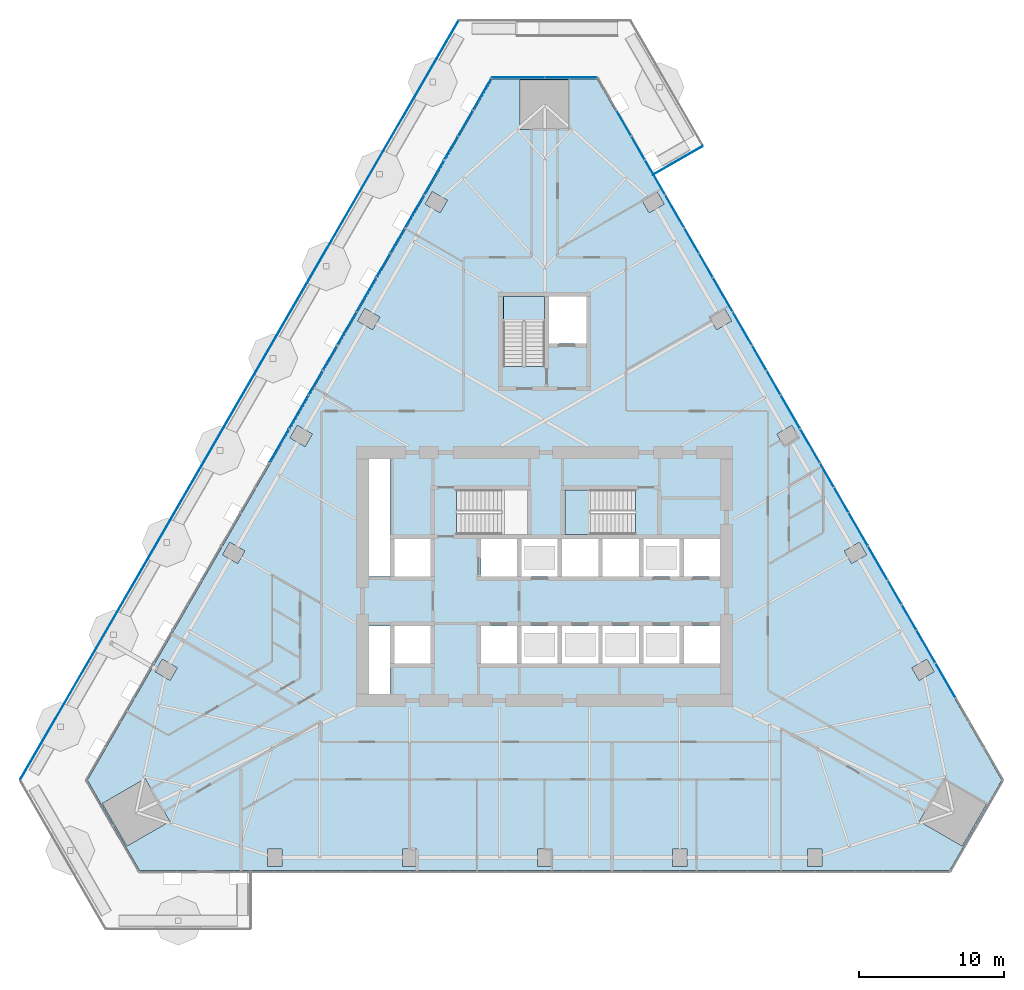
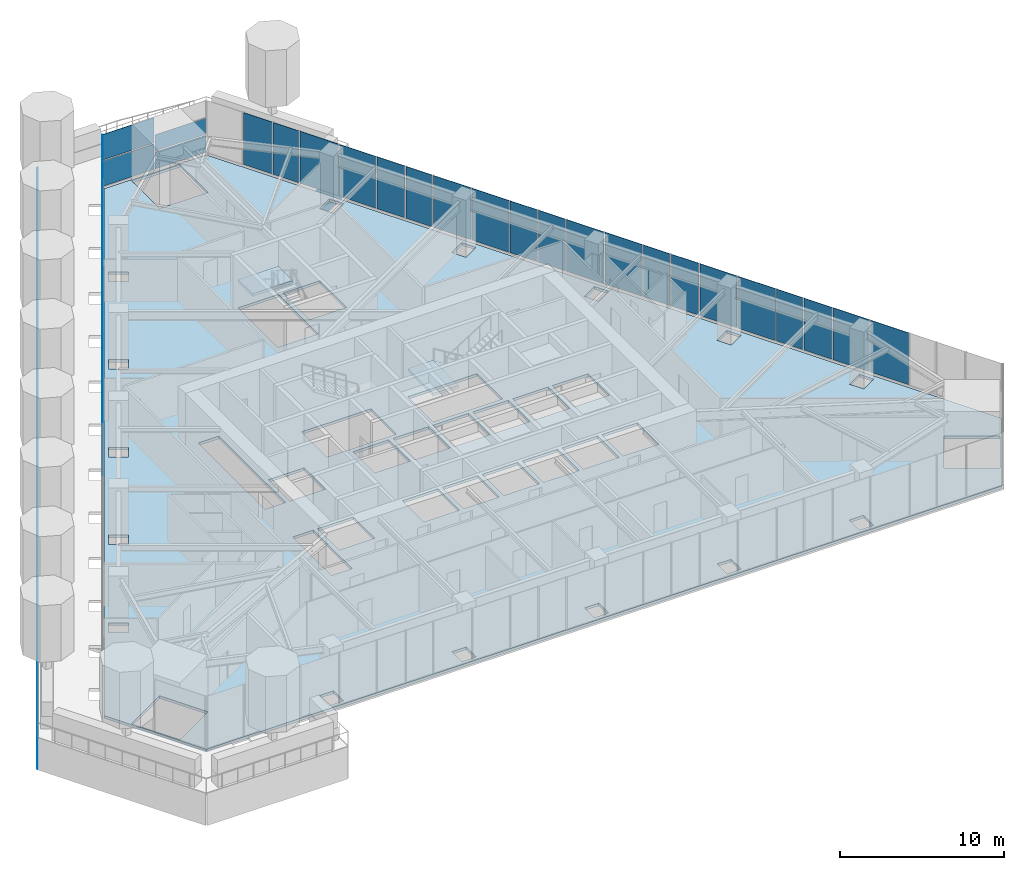
# One storey, part 15 of 25: 39 plates, 3 slabs, 5 elements without a shape of their own.
"""IFC4 building model written with IfcOpenShell, lengths in metres."""

from ifc_helpers import new_model, si_unit, direction, frame, origin, place, context, subcontext, project, spatial, polyline, outline, extrude, material, layer, layer_set, type_object, element, aggregate, save


model = new_model("IFC4")

# Units and contexts
model_context = context("Model", 3, precision=1e-05, world=origin(), true_north=direction((0.0, 1.0)))
body_context = subcontext(model_context, "Body", "Model", "MODEL_VIEW")
ifc_project = project(units=[si_unit("LENGTHUNIT", "METRE"), si_unit("AREAUNIT", "SQUARE_METRE"), si_unit("VOLUMEUNIT", "CUBIC_METRE"), si_unit("PLANEANGLEUNIT", "RADIAN"), si_unit("MASSUNIT", "GRAM", prefix="KILO")], contexts=[model_context])

# Site, building, storey
site_placement = place(None, origin())
site = spatial("IfcSite", under=ifc_project, at=site_placement, CompositionType="ELEMENT")
building_placement = place(site_placement, origin())
building = spatial("IfcBuilding", under=site, at=building_placement, Name="Firuza Gate Tower and Library", CompositionType="ELEMENT")
storey_placement = place(building_placement, frame((0.0, 0.0, 119.800048828125)))
storey = spatial("IfcBuildingStorey", under=building, at=storey_placement, Name="L27", CompositionType="ELEMENT", Elevation=119.800048828125)

# Slab
ifc_material_1 = material(Name="Concrete C40/50", Category="concrete")
ifc_layer_1 = layer(ifc_material_1, 0.199951171875)
ifc_layer_set_1 = layer_set([ifc_layer_1], Name="Composite floor slab 200 C40/50")
slab_type_1 = type_object("IfcSlabType", Name="Composite floor slab 200 C40/50", PredefinedType="FLOOR", material=ifc_layer_set_1)
slab_1_placement = place(storey_placement, frame((0.0, 0.0, -0.199951171875)))
element("IfcSlab", 1, at=slab_1_placement, inside=storey, type_object=slab_type_1, Name="Floor slab L27", PredefinedType="FLOOR", context=body_context, shape_type="SweptSolid", body=[
    extrude(outline(polyline([(43.48486328125, 60.961669921875), (47.084716796875, 54.726318359375), (102.915283203125, 54.726318359375), (106.51513671875, 60.961669921875), (78.60009765625, 109.31201171875), (71.39990234375, 109.31201171875), (43.48486328125, 60.961669921875)]), holes=[polyline([(55.889892578125, 55.0263671875), (55.889892578125, 56.226318359375), (56.889892578125, 56.226318359375), (56.889892578125, 55.0263671875), (55.889892578125, 55.0263671875)]), polyline([(65.19482421875, 55.0263671875), (65.19482421875, 56.226318359375), (66.19482421875, 56.226318359375), (66.19482421875, 55.0263671875), (65.19482421875, 55.0263671875)]), polyline([(44.521484375, 59.3662109375), (47.4658203125, 61.066162109375), (49.166015625, 58.12158203125), (46.221435546875, 56.421630859375), (44.521484375, 59.3662109375)]), polyline([(48.647216796875, 69.302978515625), (49.686279296875, 68.703125), (49.186279296875, 67.8369140625), (48.147216796875, 68.43701171875), (48.647216796875, 69.302978515625)]), polyline([(64.35009765625, 66.89990234375), (62.89990234375, 66.89990234375), (62.89990234375, 71.60009765625), (64.35009765625, 71.60009765625), (64.35009765625, 66.89990234375)]), polyline([(75.89990234375, 69.0), (73.39990234375, 69.0), (73.39990234375, 71.60009765625), (75.89990234375, 71.60009765625), (75.89990234375, 69.0)]), polyline([(73.10009765625, 69.0), (70.60009765625, 69.0), (70.60009765625, 71.60009765625), (73.10009765625, 71.60009765625), (73.10009765625, 69.0)]), polyline([(64.64990234375, 69.0), (64.64990234375, 71.60009765625), (67.14990234375, 71.60009765625), (67.14990234375, 69.0), (64.64990234375, 69.0)]), polyline([(64.64990234375, 75.0), (64.64990234375, 77.60009765625), (67.14990234375, 77.60009765625), (67.14990234375, 75.0), (64.64990234375, 75.0)]), polyline([(75.89990234375, 75.0), (73.39990234375, 75.0), (73.39990234375, 77.60009765625), (75.89990234375, 77.60009765625), (75.89990234375, 75.0)]), polyline([(73.10009765625, 75.0), (70.60009765625, 75.0), (70.60009765625, 77.60009765625), (73.10009765625, 77.60009765625), (73.10009765625, 75.0)]), polyline([(53.2998046875, 77.361572265625), (54.3388671875, 76.761474609375), (53.8388671875, 75.8955078125), (52.7998046875, 76.495361328125), (53.2998046875, 77.361572265625)]), polyline([(62.89990234375, 75.0), (62.89990234375, 83.10009765625), (64.35009765625, 83.10009765625), (64.35009765625, 75.0), (62.89990234375, 75.0)]), polyline([(68.9404296875, 77.89990234375), (68.9404296875, 80.97998046875), (73.81005859375, 80.97998046875), (73.81005859375, 77.89990234375), (68.9404296875, 77.89990234375)]), polyline([(57.9521484375, 85.419921875), (58.991455078125, 84.81982421875), (58.491455078125, 83.953857421875), (57.4521484375, 84.553955078125), (57.9521484375, 85.419921875)]), polyline([(72.159912109375, 89.470458984375), (72.159912109375, 94.300048828125), (75.0, 94.300048828125), (75.0, 89.470458984375), (72.159912109375, 89.470458984375)]), polyline([(62.604736328125, 93.478271484375), (63.64404296875, 92.87841796875), (63.14404296875, 92.01220703125), (62.104736328125, 92.6123046875), (62.604736328125, 93.478271484375)]), polyline([(68.296630859375, 100.936767578125), (67.796630859375, 100.07080078125), (66.75732421875, 100.670654296875), (67.25732421875, 101.53662109375), (68.296630859375, 100.936767578125)]), polyline([(76.699951171875, 105.81201171875), (73.300048828125, 105.81201171875), (73.300048828125, 109.212158203125), (76.699951171875, 109.212158203125), (76.699951171875, 105.81201171875)]), polyline([(93.110107421875, 55.0263671875), (93.110107421875, 56.226318359375), (94.110107421875, 56.226318359375), (94.110107421875, 55.0263671875), (93.110107421875, 55.0263671875)]), polyline([(74.5, 55.0263671875), (74.5, 56.226318359375), (75.5, 56.226318359375), (75.5, 55.0263671875), (74.5, 55.0263671875)]), polyline([(83.80517578125, 55.0263671875), (83.80517578125, 56.226318359375), (84.80517578125, 56.226318359375), (84.80517578125, 55.0263671875), (83.80517578125, 55.0263671875)]), polyline([(103.778564453125, 56.421630859375), (100.833984375, 58.12158203125), (102.5341796875, 61.066162109375), (105.478515625, 59.3662109375), (103.778564453125, 56.421630859375)]), polyline([(101.852783203125, 68.43701171875), (100.813720703125, 67.8369140625), (100.313720703125, 68.703125), (101.352783203125, 69.302978515625), (101.852783203125, 68.43701171875)]), polyline([(78.699951171875, 69.0), (76.199951171875, 69.0), (76.199951171875, 71.60009765625), (78.699951171875, 71.60009765625), (78.699951171875, 69.0)]), polyline([(81.5, 69.0), (79.0, 69.0), (79.0, 71.60009765625), (81.5, 71.60009765625), (81.5, 69.0)]), polyline([(84.60009765625, 69.0), (84.60009765625, 71.60009765625), (87.10009765625, 71.60009765625), (87.10009765625, 69.0), (84.60009765625, 69.0)]), polyline([(81.800048828125, 69.0), (81.800048828125, 71.60009765625), (84.300048828125, 71.60009765625), (84.300048828125, 69.0), (81.800048828125, 69.0)]), polyline([(84.300048828125, 75.0), (81.800048828125, 75.0), (81.800048828125, 77.60009765625), (84.300048828125, 77.60009765625), (84.300048828125, 75.0)]), polyline([(87.10009765625, 75.0), (84.60009765625, 75.0), (84.60009765625, 77.60009765625), (87.10009765625, 77.60009765625), (87.10009765625, 75.0)]), polyline([(81.5, 75.0), (79.0, 75.0), (79.0, 77.60009765625), (81.5, 77.60009765625), (81.5, 75.0)]), polyline([(76.199951171875, 75.0), (76.199951171875, 77.60009765625), (78.699951171875, 77.60009765625), (78.699951171875, 75.0), (76.199951171875, 75.0)]), polyline([(96.1611328125, 75.8955078125), (95.6611328125, 76.761474609375), (96.7001953125, 77.361572265625), (97.2001953125, 76.495361328125), (96.1611328125, 75.8955078125)]), polyline([(81.259521484375, 77.89990234375), (76.389892578125, 77.89990234375), (76.389892578125, 80.97998046875), (81.259521484375, 80.97998046875), (81.259521484375, 77.89990234375)]), polyline([(92.5478515625, 84.553955078125), (91.508544921875, 83.953857421875), (91.008544921875, 84.81982421875), (92.0478515625, 85.419921875), (92.5478515625, 84.553955078125)]), polyline([(77.89990234375, 91.050048828125), (75.300048828125, 91.050048828125), (75.300048828125, 94.300048828125), (77.89990234375, 94.300048828125), (77.89990234375, 91.050048828125)]), polyline([(86.85595703125, 92.01220703125), (86.35595703125, 92.87841796875), (87.395263671875, 93.478271484375), (87.895263671875, 92.6123046875), (86.85595703125, 92.01220703125)]), polyline([(82.203369140625, 100.07080078125), (81.703369140625, 100.936767578125), (82.74267578125, 101.53662109375), (83.24267578125, 100.670654296875), (82.203369140625, 100.07080078125)])]), origin(), (0.0, 0.0, 1.0), 0.199951171875),
])

# Curtain wall, plates
ifc_material_2 = material(Name="Aluminium 6063-T6", Category="aluminium")
ifc_layer_2 = layer(ifc_material_2, 0.14990234375)
ifc_layer_set_2 = layer_set([ifc_layer_2], Name="Corner curtain wall, chamfers")
curtain_wall_type_1 = type_object("IfcCurtainWallType", Name="Corner curtain wall, chamfers", PredefinedType="NOTDEFINED", material=ifc_layer_set_2)
placement_1 = place(storey_placement, origin())
curtain_wall_1 = element("IfcCurtainWall", 2, at=placement_1, inside=storey, type_object=curtain_wall_type_1, Name="CW4 L27 N corner", PredefinedType="NOTDEFINED")
ifc_material_3 = material(Name="Fritted glass", Category="glass")
ifc_layer_3 = layer(ifc_material_3, 0.030029296875)
ifc_layer_set_3 = layer_set([ifc_layer_3], Name="Fritted glass unit, corners")
plate_type_1 = type_object("IfcPlateType", Name="Fritted glass unit, corners", PredefinedType="CURTAIN_PANEL", material=ifc_layer_set_3)
plate_1_placement = place(storey_placement, frame((78.603271484375, 109.402099609375, 0.14990234375), z_axis=(0.0, 1.0, 0.0), x_axis=(-1.0, 0.0, 0.0)))
plate_1 = element("IfcPlate", 3, at=plate_1_placement, type_object=plate_type_1, Name="Glass unit", PredefinedType="CURTAIN_PANEL", context=body_context, shape_type="SweptSolid", body=[
    extrude(outline(polyline([(0.0, 0.0), (3.563232421875, 0.0), (3.563232421875, 1.260009765625), (0.0, 1.260009765625), (0.0, 0.0)])), origin(), (0.0, 0.0, -1.0), 0.030029296875),
])
plate_2_placement = place(storey_placement, frame((78.603271484375, 109.402099609375, 1.489990234375), z_axis=(0.0, 1.0, 0.0), x_axis=(-1.0, 0.0, 0.0)))
plate_2 = element("IfcPlate", 4, at=plate_2_placement, type_object=plate_type_1, Name="Glass unit", PredefinedType="CURTAIN_PANEL", context=body_context, shape_type="SweptSolid", body=[
    extrude(outline(polyline([(0.0, 0.0), (3.563232421875, 0.0), (3.563232421875, 1.195068359375), (0.0, 1.195068359375), (0.0, 0.0)])), origin(), (0.0, 0.0, -1.0), 0.030029296875),
])
plate_3_placement = place(storey_placement, frame((74.9599609375, 109.402099609375, 0.14990234375), z_axis=(0.0, 1.0, 0.0), x_axis=(-1.0, 0.0, 0.0)))
plate_3 = element("IfcPlate", 5, at=plate_3_placement, type_object=plate_type_1, Name="Glass unit", PredefinedType="CURTAIN_PANEL", context=body_context, shape_type="SweptSolid", body=[
    extrude(outline(polyline([(0.0, 0.0), (3.563232421875, 0.0), (3.563232421875, 1.885009765625), (0.0, 1.885009765625), (0.0, 0.0)])), origin(), (0.0, 0.0, -1.0), 0.030029296875),
])

ifc_material_4 = material(Name="Aluminium 6063-T6", Category="aluminium")
ifc_layer_4 = layer(ifc_material_4, 0.14990234375)
ifc_layer_set_4 = layer_set([ifc_layer_4], Name="Unitised curtain wall, offices")
curtain_wall_type_2 = type_object("IfcCurtainWallType", Name="Unitised curtain wall, offices", PredefinedType="NOTDEFINED", material=ifc_layer_set_4)
curtain_wall_2 = element("IfcCurtainWall", 6, at=placement_1, inside=storey, type_object=curtain_wall_type_2, Name="CW1 L27 E face", PredefinedType="NOTDEFINED")
ifc_material_5 = material(Name="Fritted glass", Category="glass")
ifc_layer_5 = layer(ifc_material_5, 0.030029296875)
ifc_layer_set_5 = layer_set([ifc_layer_5], Name="Fritted glass unit, offices")
plate_type_2 = type_object("IfcPlateType", Name="Fritted glass unit, offices", PredefinedType="CURTAIN_PANEL", material=ifc_layer_set_5)
plate_4_placement = place(storey_placement, frame((100.619384765625, 71.353271484375, 0.14990234375), z_axis=(0.866060399857, 0.499939380126, 0.0), x_axis=(-0.499939380126, 0.866060399857, 0.0)))
plate_4 = element("IfcPlate", 7, at=plate_4_placement, type_object=plate_type_2, Name="Glass unit", PredefinedType="CURTAIN_PANEL", context=body_context, shape_type="SweptSolid", body=[
    extrude(outline(polyline([(0.0, 0.0), (1.9484784205345196, 0.0), (1.9484784205345196, 3.85009765625), (0.0, 3.85009765625), (0.0, 0.0)])), origin(), (0.0, 0.0, -1.0), 0.030029296875),
])
plate_5_placement = place(storey_placement, frame((99.605224609375, 73.110107421875, 0.14990234375), z_axis=(0.866002639347, 0.50003942709, 0.0), x_axis=(-0.50003942709, 0.866002639347, 0.0)))
plate_5 = element("IfcPlate", 8, at=plate_5_placement, type_object=plate_type_2, Name="Glass unit", PredefinedType="CURTAIN_PANEL", context=body_context, shape_type="SweptSolid", body=[
    extrude(outline(polyline([(0.0, 0.0), (1.8445811095682818, 0.0), (1.8445811095682818, 3.85009765625), (0.0, 3.85009765625), (0.0, 0.0)])), origin(), (0.0, 0.0, -1.0), 0.030029296875),
])
plate_6_placement = place(storey_placement, frame((95.9423828125, 79.454345703125, 0.14990234375), z_axis=(0.866005020067, 0.500035303972, 0.0), x_axis=(-0.500035303972, 0.866005020067, 0.0)))
plate_6 = element("IfcPlate", 9, at=plate_6_placement, type_object=plate_type_2, Name="Glass unit", PredefinedType="CURTAIN_PANEL", context=body_context, shape_type="SweptSolid", body=[
    extrude(outline(polyline([(0.0, 0.0), (1.9139273615250514, 0.0), (1.9139273615250514, 3.85009765625), (0.0, 3.85009765625), (0.0, 0.0)])), origin(), (0.0, 0.0, -1.0), 0.030029296875),
])
plate_7_placement = place(storey_placement, frame((94.9453125, 81.18115234375, 0.14990234375), z_axis=(0.866027628696, 0.49999614632, 0.0), x_axis=(-0.49999614632, 0.866027628696, 0.0)))
plate_7 = element("IfcPlate", 10, at=plate_7_placement, type_object=plate_type_2, Name="Glass unit", PredefinedType="CURTAIN_PANEL", context=body_context, shape_type="SweptSolid", body=[
    extrude(outline(polyline([(0.0, 0.0), (1.8789207315184273, 0.0), (1.8789207315184273, 3.85009765625), (0.0, 3.85009765625), (0.0, 0.0)])), origin(), (0.0, 0.0, -1.0), 0.030029296875),
])
plate_8_placement = place(storey_placement, frame((91.26513671875, 87.555419921875, 0.14990234375), z_axis=(0.866027628696, 0.49999614632, 0.0), x_axis=(-0.49999614632, 0.866027628696, 0.0)))
plate_8 = element("IfcPlate", 11, at=plate_8_placement, type_object=plate_type_2, Name="Glass unit", PredefinedType="CURTAIN_PANEL", context=body_context, shape_type="SweptSolid", body=[
    extrude(outline(polyline([(0.0, 0.0), (1.8789207315184273, 0.0), (1.8789207315184273, 3.85009765625), (0.0, 3.85009765625), (0.0, 0.0)])), origin(), (0.0, 0.0, -1.0), 0.030029296875),
])
plate_9_placement = place(storey_placement, frame((90.28564453125, 89.251953125, 0.14990234375), z_axis=(0.866005020067, 0.500035303972, 0.0), x_axis=(-0.500035303972, 0.866005020067, 0.0)))
plate_9 = element("IfcPlate", 12, at=plate_9_placement, type_object=plate_type_2, Name="Glass unit", PredefinedType="CURTAIN_PANEL", context=body_context, shape_type="SweptSolid", body=[
    extrude(outline(polyline([(0.0, 0.0), (1.9139273615250514, 0.0), (1.9139273615250514, 3.85009765625), (0.0, 3.85009765625), (0.0, 0.0)])), origin(), (0.0, 0.0, -1.0), 0.030029296875),
])
plate_10_placement = place(storey_placement, frame((86.588134765625, 95.65625, 0.14990234375), z_axis=(0.866059952115, 0.49994015576, 0.0), x_axis=(-0.49994015576, 0.866059952115, 0.0)))
plate_10 = element("IfcPlate", 13, at=plate_10_placement, type_object=plate_type_2, Name="Glass unit", PredefinedType="CURTAIN_PANEL", context=body_context, shape_type="SweptSolid", body=[
    extrude(outline(polyline([(0.0, 0.0), (1.8444590417477085, 0.0), (1.8444590417477085, 3.85009765625), (0.0, 3.85009765625), (0.0, 0.0)])), origin(), (0.0, 0.0, -1.0), 0.030029296875),
])
plate_11_placement = place(storey_placement, frame((85.6259765625, 97.322998046875, 0.14990234375), z_axis=(0.866006146878, 0.500033352458, 0.0), x_axis=(-0.500033352458, 0.866006146878, 0.0)))
plate_11 = element("IfcPlate", 14, at=plate_11_placement, type_object=plate_type_2, Name="Glass unit", PredefinedType="CURTAIN_PANEL", context=body_context, shape_type="SweptSolid", body=[
    extrude(outline(polyline([(0.0, 0.0), (1.948600487518837, 0.0), (1.948600487518837, 3.85009765625), (0.0, 3.85009765625), (0.0, 0.0)])), origin(), (0.0, 0.0, -1.0), 0.030029296875),
])
plate_12_placement = place(storey_placement, frame((81.910888671875, 103.75732421875, 0.14990234375), z_axis=(0.866026068486, 0.499998848701, 0.0), x_axis=(-0.499998848701, 0.866026068486, 0.0)))
plate_12 = element("IfcPlate", 15, at=plate_12_placement, type_object=plate_type_2, Name="Glass unit", PredefinedType="CURTAIN_PANEL", context=body_context, shape_type="SweptSolid", body=[
    extrude(outline(polyline([(0.0, 0.0), (1.8095744792233548, 0.0), (1.8095744792233548, 3.85009765625), (0.0, 3.85009765625), (0.0, 0.0)])), origin(), (0.0, 0.0, -1.0), 0.030029296875),
])
plate_13_placement = place(storey_placement, frame((80.966064453125, 105.393798828125, 0.14990234375), z_axis=(0.866060538666, 0.499939139662, 0.0), x_axis=(-0.499939139662, 0.866060538666, 0.0)))
plate_13 = element("IfcPlate", 16, at=plate_13_placement, type_object=plate_type_2, Name="Glass unit", PredefinedType="CURTAIN_PANEL", context=body_context, shape_type="SweptSolid", body=[
    extrude(outline(polyline([(0.0, 0.0), (1.9831515467971128, 0.0), (1.9831515467971128, 3.85009765625), (0.0, 3.85009765625), (0.0, 0.0)])), origin(), (0.0, 0.0, -1.0), 0.030029296875),
])

curtain_wall_3 = element("IfcCurtainWall", 17, at=placement_1, inside=storey, type_object=curtain_wall_type_2, Name="CW1 L27 W face", PredefinedType="NOTDEFINED")
plate_14_placement = place(storey_placement, frame((70.025390625, 107.111328125, 0.14990234375), z_axis=(-0.866060538666, 0.499939139662, 0.0), x_axis=(-0.499939139662, -0.866060538666, 0.0)))
plate_14 = element("IfcPlate", 18, at=plate_14_placement, type_object=plate_type_2, Name="Glass unit", PredefinedType="CURTAIN_PANEL", context=body_context, shape_type="SweptSolid", body=[
    extrude(outline(polyline([(0.0, 0.0), (1.9831515467971128, 0.0), (1.9831515467971128, 3.85009765625), (0.0, 3.85009765625), (0.0, 0.0)])), origin(), (0.0, 0.0, -1.0), 0.030029296875),
])
plate_15_placement = place(storey_placement, frame((68.993896484375, 105.324462890625, 0.14990234375), z_axis=(-0.866026068486, 0.499998848701, 0.0), x_axis=(-0.499998848701, -0.866026068486, 0.0)))
plate_15 = element("IfcPlate", 19, at=plate_15_placement, type_object=plate_type_2, Name="Glass unit", PredefinedType="CURTAIN_PANEL", context=body_context, shape_type="SweptSolid", body=[
    extrude(outline(polyline([(0.0, 0.0), (1.8095744792233548, 0.0), (1.8095744792233548, 3.85009765625), (0.0, 3.85009765625), (0.0, 0.0)])), origin(), (0.0, 0.0, -1.0), 0.030029296875),
])
plate_16_placement = place(storey_placement, frame((65.348388671875, 99.010498046875, 0.14990234375), z_axis=(-0.866006146878, 0.500033352458, 0.0), x_axis=(-0.500033352458, -0.866006146878, 0.0)))
plate_16 = element("IfcPlate", 20, at=plate_16_placement, type_object=plate_type_2, Name="Glass unit", PredefinedType="CURTAIN_PANEL", context=body_context, shape_type="SweptSolid", body=[
    extrude(outline(polyline([(0.0, 0.0), (1.948600487518837, 0.0), (1.948600487518837, 3.85009765625), (0.0, 3.85009765625), (0.0, 0.0)])), origin(), (0.0, 0.0, -1.0), 0.030029296875),
])
plate_17_placement = place(storey_placement, frame((64.333984375, 97.253662109375, 0.14990234375), z_axis=(-0.866059952115, 0.49994015576, 0.0), x_axis=(-0.49994015576, -0.866059952115, 0.0)))
plate_17 = element("IfcPlate", 21, at=plate_17_placement, type_object=plate_type_2, Name="Glass unit", PredefinedType="CURTAIN_PANEL", context=body_context, shape_type="SweptSolid", body=[
    extrude(outline(polyline([(0.0, 0.0), (1.8444590417477085, 0.0), (1.8444590417477085, 3.85009765625), (0.0, 3.85009765625), (0.0, 0.0)])), origin(), (0.0, 0.0, -1.0), 0.030029296875),
])
plate_18_placement = place(storey_placement, frame((60.67138671875, 90.909423828125, 0.14990234375), z_axis=(-0.866005020067, 0.500035303972, 0.0), x_axis=(-0.500035303972, -0.866005020067, 0.0)))
plate_18 = element("IfcPlate", 22, at=plate_18_placement, type_object=plate_type_2, Name="Glass unit", PredefinedType="CURTAIN_PANEL", context=body_context, shape_type="SweptSolid", body=[
    extrude(outline(polyline([(0.0, 0.0), (1.9139273615250514, 0.0), (1.9139273615250514, 3.85009765625), (0.0, 3.85009765625), (0.0, 0.0)])), origin(), (0.0, 0.0, -1.0), 0.030029296875),
])
plate_19_placement = place(storey_placement, frame((59.67431640625, 89.1826171875, 0.14990234375), z_axis=(-0.866027628696, 0.49999614632, 0.0), x_axis=(-0.49999614632, -0.866027628696, 0.0)))
plate_19 = element("IfcPlate", 23, at=plate_19_placement, type_object=plate_type_2, Name="Glass unit", PredefinedType="CURTAIN_PANEL", context=body_context, shape_type="SweptSolid", body=[
    extrude(outline(polyline([(0.0, 0.0), (1.8789207315184273, 0.0), (1.8789207315184273, 3.85009765625), (0.0, 3.85009765625), (0.0, 0.0)])), origin(), (0.0, 0.0, -1.0), 0.030029296875),
])

# Plate
ifc_material_6 = material(Name="Glazed ceramic tile")
ifc_layer_6 = layer(ifc_material_6, 0.030029296875)
ifc_layer_set_6 = layer_set([ifc_layer_6], Name="Opaque ceramic panel, corners")
plate_type_3 = type_object("IfcPlateType", Name="Opaque ceramic panel, corners", PredefinedType="CURTAIN_PANEL", material=ifc_layer_set_6)
plate_20_placement = place(storey_placement, frame((74.9599609375, 109.402099609375, 2.114990234375), z_axis=(0.0, 1.0, 0.0), x_axis=(-1.0, 0.0, 0.0)))
plate_20 = element("IfcPlate", 24, at=plate_20_placement, type_object=plate_type_3, Name="Opaque ceramic panel", PredefinedType="CURTAIN_PANEL", context=body_context, shape_type="SweptSolid", body=[
    extrude(outline(polyline([(0.0, 0.0), (3.563232421875, 0.0), (3.563232421875, 1.885009765625), (0.0, 1.885009765625), (0.0, 0.0)])), origin(), (0.0, 0.0, -1.0), 0.030029296875),
])

aggregate(curtain_wall_1, [plate_1, plate_2, plate_3, plate_20])

ifc_material_7 = material(Name="Glazed ceramic tile")
ifc_layer_7 = layer(ifc_material_7, 0.030029296875)
ifc_layer_set_7 = layer_set([ifc_layer_7], Name="Opaque ceramic panel, offices")
plate_type_4 = type_object("IfcPlateType", Name="Opaque ceramic panel, offices", PredefinedType="CURTAIN_PANEL", material=ifc_layer_set_7)
plate_21_placement = place(storey_placement, frame((103.320068359375, 66.67578125, 0.14990234375), z_axis=(0.866028401131, 0.499994808408, 0.0), x_axis=(-0.499994808408, 0.866028401131, 0.0)))
plate_21 = element("IfcPlate", 25, at=plate_21_placement, type_object=plate_type_4, Name="Opaque ceramic panel", PredefinedType="CURTAIN_PANEL", context=body_context, shape_type="SweptSolid", body=[
    extrude(outline(polyline([(0.0, 0.0), (2.6899693366965556, 0.0), (2.6899693366965556, 3.850097656250001), (0.0, 3.850097656250001), (0.0, 0.0)])), origin(), (0.0, 0.0, -1.0), 0.030029296875),
])

plate_22_placement = place(storey_placement, frame((101.93505859375, 69.07470703125, 0.14990234375), z_axis=(0.866026229868, 0.499998569178, 0.0), x_axis=(-0.499998569178, 0.866026229868, 0.0)))
plate_22 = element("IfcPlate", 26, at=plate_22_placement, type_object=plate_type_4, Name="Opaque ceramic panel", PredefinedType="CURTAIN_PANEL", context=body_context, shape_type="SweptSolid", body=[
    extrude(outline(polyline([(0.0, 0.0), (2.5512768320955646, 0.0), (2.5512768320955646, 3.85009765625), (0.0, 3.85009765625), (0.0, 0.0)])), origin(), (0.0, 0.0, -1.0), 0.030029296875),
])

plate_23_placement = place(storey_placement, frame((98.64306640625, 74.776611328125, 0.14990234375), z_axis=(0.866011053975, 0.500024853776, 0.0), x_axis=(-0.500024853776, 0.866011053975, 0.0)))
plate_23 = element("IfcPlate", 27, at=plate_23_placement, type_object=plate_type_4, Name="Opaque ceramic panel", PredefinedType="CURTAIN_PANEL", context=body_context, shape_type="SweptSolid", body=[
    extrude(outline(polyline([(0.0, 0.0), (2.655629713898657, 0.0), (2.655629713898657, 3.850097656250001), (0.0, 3.850097656250001), (0.0, 0.0)])), origin(), (0.0, 0.0, -1.0), 0.030029296875),
])

plate_24_placement = place(storey_placement, frame((97.275390625, 77.1455078125, 0.14990234375), z_axis=(0.86602679452, 0.499997591167, 0.0), x_axis=(-0.499997591167, 0.86602679452, 0.0)))
plate_24 = element("IfcPlate", 28, at=plate_24_placement, type_object=plate_type_4, Name="Opaque ceramic panel", PredefinedType="CURTAIN_PANEL", context=body_context, shape_type="SweptSolid", body=[
    extrude(outline(polyline([(0.0, 0.0), (2.5859499582411205, 0.0), (2.5859499582411205, 3.85009765625), (0.0, 3.85009765625), (0.0, 0.0)])), origin(), (0.0, 0.0, -1.0), 0.030029296875),
])

plate_25_placement = place(storey_placement, frame((93.9658203125, 82.877685546875, 0.14990234375), z_axis=(0.866027344229, 0.499996639036, 0.0), x_axis=(-0.499996639036, 0.866027344229, 0.0)))
plate_25 = element("IfcPlate", 29, at=plate_25_placement, type_object=plate_type_4, Name="Opaque ceramic panel", PredefinedType="CURTAIN_PANEL", context=body_context, shape_type="SweptSolid", body=[
    extrude(outline(polyline([(0.0, 0.0), (2.6206230843898872, 0.0), (2.6206230843898872, 3.85009765625), (0.0, 3.85009765625), (0.0, 0.0)])), origin(), (0.0, 0.0, -1.0), 0.030029296875),
])

plate_26_placement = place(storey_placement, frame((92.615478515625, 85.216552734375, 0.14990234375), z_axis=(0.866027344229, 0.499996639036, 0.0), x_axis=(-0.499996639036, 0.866027344229, 0.0)))
plate_26 = element("IfcPlate", 30, at=plate_26_placement, type_object=plate_type_4, Name="Opaque ceramic panel", PredefinedType="CURTAIN_PANEL", context=body_context, shape_type="SweptSolid", body=[
    extrude(outline(polyline([(0.0, 0.0), (2.6206230843898872, 0.0), (2.6206230843898872, 3.85009765625), (0.0, 3.85009765625), (0.0, 0.0)])), origin(), (0.0, 0.0, -1.0), 0.030029296875),
])

plate_27_placement = place(storey_placement, frame((89.288818359375, 90.978759765625, 0.14990234375), z_axis=(0.86602679452, 0.499997591167, 0.0), x_axis=(-0.499997591167, 0.86602679452, 0.0)))
plate_27 = element("IfcPlate", 31, at=plate_27_placement, type_object=plate_type_4, Name="Opaque ceramic panel", PredefinedType="CURTAIN_PANEL", context=body_context, shape_type="SweptSolid", body=[
    extrude(outline(polyline([(0.0, 0.0), (2.5859499582411205, 0.0), (2.5859499582411205, 3.85009765625), (0.0, 3.85009765625), (0.0, 0.0)])), origin(), (0.0, 0.0, -1.0), 0.030029296875),
])

plate_28_placement = place(storey_placement, frame((87.955810546875, 93.287353515625, 0.14990234375), z_axis=(0.866027879581, 0.49999571177, 0.0), x_axis=(-0.49999571177, 0.866027879581, 0.0)))
plate_28 = element("IfcPlate", 32, at=plate_28_placement, type_object=plate_type_4, Name="Opaque ceramic panel", PredefinedType="CURTAIN_PANEL", context=body_context, shape_type="SweptSolid", body=[
    extrude(outline(polyline([(0.0, 0.0), (2.6552962105417386, 0.0), (2.6552962105417386, 3.85009765625), (0.0, 3.85009765625), (0.0, 0.0)])), origin(), (0.0, 0.0, -1.0), 0.030029296875),
])

plate_29_placement = place(storey_placement, frame((84.611572265625, 99.07958984375, 0.14990234375), z_axis=(0.866026229868, 0.499998569178, 0.0), x_axis=(-0.499998569178, 0.866026229868, 0.0)))
plate_29 = element("IfcPlate", 33, at=plate_29_placement, type_object=plate_type_4, Name="Opaque ceramic panel", PredefinedType="CURTAIN_PANEL", context=body_context, shape_type="SweptSolid", body=[
    extrude(outline(polyline([(0.0, 0.0), (2.5512768320955646, 0.0), (2.5512768320955646, 3.85009765625), (0.0, 3.85009765625), (0.0, 0.0)])), origin(), (0.0, 0.0, -1.0), 0.030029296875),
])

plate_30_placement = place(storey_placement, frame((83.296142578125, 101.3583984375, 0.14990234375), z_axis=(0.865989100438, 0.500062873969, 0.0), x_axis=(-0.500062873969, 0.865989100438, 0.0)))
plate_30 = element("IfcPlate", 34, at=plate_30_placement, type_object=plate_type_4, Name="Opaque ceramic panel", PredefinedType="CURTAIN_PANEL", context=body_context, shape_type="SweptSolid", body=[
    extrude(outline(polyline([(0.0, 0.0), (2.6900914140505496, 0.0), (2.6900914140505496, 3.85009765625), (0.0, 3.85009765625), (0.0, 0.0)])), origin(), (0.0, 0.0, -1.0), 0.030029296875),
])

aggregate(curtain_wall_2, [plate_21, plate_22, plate_4, plate_5, plate_23, plate_24, plate_6, plate_7, plate_25, plate_26, plate_8, plate_9, plate_27, plate_28, plate_10, plate_11, plate_29, plate_30, plate_12, plate_13])

plate_31_placement = place(storey_placement, frame((71.32373046875, 109.35986328125, 0.14990234375), z_axis=(-0.866001393654, 0.50004158446, 0.0), x_axis=(-0.50004158446, -0.866001393654, 0.0)))
plate_31 = element("IfcPlate", 35, at=plate_31_placement, type_object=plate_type_4, Name="Opaque ceramic panel", PredefinedType="CURTAIN_PANEL", context=body_context, shape_type="SweptSolid", body=[
    extrude(outline(polyline([(0.0, 0.0), (2.5163922768707927, 0.0), (2.5163922768707927, 3.850097656250001), (0.0, 3.850097656250001), (0.0, 0.0)])), origin(), (0.0, 0.0, -1.0), 0.030029296875),
])

plate_32_placement = place(storey_placement, frame((68.049072265625, 103.68798828125, 0.14990234375), z_axis=(-0.865989100438, 0.500062873969, 0.0), x_axis=(-0.500062873969, -0.865989100438, 0.0)))
plate_32 = element("IfcPlate", 36, at=plate_32_placement, type_object=plate_type_4, Name="Opaque ceramic panel", PredefinedType="CURTAIN_PANEL", context=body_context, shape_type="SweptSolid", body=[
    extrude(outline(polyline([(0.0, 0.0), (2.6900914140505496, 0.0), (2.6900914140505496, 3.85009765625), (0.0, 3.85009765625), (0.0, 0.0)])), origin(), (0.0, 0.0, -1.0), 0.030029296875),
])

plate_33_placement = place(storey_placement, frame((66.6640625, 101.2890625, 0.14990234375), z_axis=(-0.866026229868, 0.499998569178, 0.0), x_axis=(-0.499998569178, -0.866026229868, 0.0)))
plate_33 = element("IfcPlate", 37, at=plate_33_placement, type_object=plate_type_4, Name="Opaque ceramic panel", PredefinedType="CURTAIN_PANEL", context=body_context, shape_type="SweptSolid", body=[
    extrude(outline(polyline([(0.0, 0.0), (2.5512768320955646, 0.0), (2.5512768320955646, 3.85009765625), (0.0, 3.85009765625), (0.0, 0.0)])), origin(), (0.0, 0.0, -1.0), 0.030029296875),
])

plate_34_placement = place(storey_placement, frame((63.371826171875, 95.5869140625, 0.14990234375), z_axis=(-0.866027879581, 0.49999571177, 0.0), x_axis=(-0.49999571177, -0.866027879581, 0.0)))
plate_34 = element("IfcPlate", 38, at=plate_34_placement, type_object=plate_type_4, Name="Opaque ceramic panel", PredefinedType="CURTAIN_PANEL", context=body_context, shape_type="SweptSolid", body=[
    extrude(outline(polyline([(0.0, 0.0), (2.6552962105417386, 0.0), (2.6552962105417386, 3.85009765625), (0.0, 3.85009765625), (0.0, 0.0)])), origin(), (0.0, 0.0, -1.0), 0.030029296875),
])

plate_35_placement = place(storey_placement, frame((62.004150390625, 93.21826171875, 0.14990234375), z_axis=(-0.86602679452, 0.499997591167, 0.0), x_axis=(-0.499997591167, -0.86602679452, 0.0)))
plate_35 = element("IfcPlate", 39, at=plate_35_placement, type_object=plate_type_4, Name="Opaque ceramic panel", PredefinedType="CURTAIN_PANEL", context=body_context, shape_type="SweptSolid", body=[
    extrude(outline(polyline([(0.0, 0.0), (2.5859499582411205, 0.0), (2.5859499582411205, 3.85009765625), (0.0, 3.85009765625), (0.0, 0.0)])), origin(), (0.0, 0.0, -1.0), 0.030029296875),
])

plate_36_placement = place(storey_placement, frame((58.69482421875, 87.486083984375, 0.14990234375), z_axis=(-0.866027344229, 0.499996639036, 0.0), x_axis=(-0.499996639036, -0.866027344229, 0.0)))
plate_36 = element("IfcPlate", 40, at=plate_36_placement, type_object=plate_type_4, Name="Opaque ceramic panel", PredefinedType="CURTAIN_PANEL", context=body_context, shape_type="SweptSolid", body=[
    extrude(outline(polyline([(0.0, 0.0), (2.6206230843898872, 0.0), (2.6206230843898872, 3.85009765625), (0.0, 3.85009765625), (0.0, 0.0)])), origin(), (0.0, 0.0, -1.0), 0.030029296875),
])

plate_37_placement = place(storey_placement, frame((57.344482421875, 85.147216796875, 0.14990234375), z_axis=(-0.866027344229, 0.499996639036, 0.0), x_axis=(-0.499996639036, -0.866027344229, 0.0)))
plate_37 = element("IfcPlate", 41, at=plate_37_placement, type_object=plate_type_4, Name="Opaque ceramic panel", PredefinedType="CURTAIN_PANEL", context=body_context, shape_type="SweptSolid", body=[
    extrude(outline(polyline([(0.0, 0.0), (2.6206230843898872, 0.0), (2.6206230843898872, 3.85009765625), (0.0, 3.85009765625), (0.0, 0.0)])), origin(), (0.0, 0.0, -1.0), 0.030029296875),
])

aggregate(curtain_wall_3, [plate_31, plate_14, plate_15, plate_32, plate_33, plate_16, plate_17, plate_34, plate_35, plate_18, plate_19, plate_36, plate_37])

# Stair, slab
ifc_material_8 = material(Name="Concrete C35/45", Category="concrete")
stair_type_1 = type_object("IfcStairType", Name="Exit stair ST5", PredefinedType="HALF_TURN_STAIR", material=ifc_material_8)
stair_1 = element("IfcStair", 42, at=placement_1, inside=storey, type_object=stair_type_1, Name="L27 Stair ST2", PredefinedType="HALF_TURN_STAIR")
ifc_material_9 = material(Name="Concrete C35/45", Category="concrete")
ifc_layer_8 = layer(ifc_material_9, 0.199951171875)
ifc_layer_set_8 = layer_set([ifc_layer_8], Name="Stair landing 200")
slab_type_2 = type_object("IfcSlabType", Name="Stair landing 200", PredefinedType="LANDING", material=ifc_layer_set_8)
placement_2 = place(storey_placement, frame((0.0, 0.0, 1.89990234375)))
slab_2 = element("IfcSlab", 43, at=placement_2, type_object=slab_type_2, Name="ST2 landing 1", PredefinedType="LANDING", context=body_context, shape_type="SweptSolid", body=[
    extrude(outline(polyline([(78.179931640625, 80.97998046875), (76.389892578125, 80.97998046875), (76.389892578125, 77.89990234375), (78.179931640625, 77.89990234375), (78.179931640625, 80.97998046875)])), origin(), (0.0, 0.0, 1.0), 0.199951171875),
])
aggregate(stair_1, [slab_2])

ifc_material_10 = material(Name="Concrete C35/45", Category="concrete")
stair_type_2 = type_object("IfcStairType", Name="Exit stair ST14", PredefinedType="HALF_TURN_STAIR", material=ifc_material_10)
stair_2 = element("IfcStair", 44, at=placement_1, inside=storey, type_object=stair_type_2, Name="L27 Stair ST3", PredefinedType="HALF_TURN_STAIR")
slab_3 = element("IfcSlab", 45, at=placement_2, type_object=slab_type_2, Name="ST3 landing 1", PredefinedType="LANDING", context=body_context, shape_type="SweptSolid", body=[
    extrude(outline(polyline([(75.0, 92.550048828125), (75.0, 94.300048828125), (72.159912109375, 94.300048828125), (72.159912109375, 92.550048828125), (75.0, 92.550048828125)])), origin(), (0.0, 0.0, 1.0), 0.199951171875),
])
aggregate(stair_2, [slab_3])

# Plates
ifc_material_11 = material(Name="Aluminium 6063-T6", Category="aluminium")
ifc_layer_9 = layer(ifc_material_11, 0.050048828125)
ifc_layer_set_9 = layer_set([ifc_layer_9], Name="Tray fascia panel 50")
plate_type_5 = type_object("IfcPlateType", Name="Tray fascia panel 50", PredefinedType="SHEET", material=ifc_layer_set_9)
plate_38_placement = place(storey_placement, frame((69.031982421875, 113.31103515625, -2.400146484375), z_axis=(-0.866027037462, 0.499997170377, 0.0), x_axis=(-0.499997170377, -0.866027037462, 0.0)))
element("IfcPlate", 46, at=plate_38_placement, inside=storey, type_object=plate_type_5, Name="Tray fascia L27 3", PredefinedType="SHEET", context=body_context, shape_type="SweptSolid", body=[
    extrude(outline(polyline([(0.0, 0.0), (60.38852534721589, 0.0), (60.38852534721589, 2.400146484375), (0.0, 2.400146484375), (0.0, 0.0)])), origin(), (0.0, 0.0, -1.0), 0.050048828125),
])
plate_39_placement = place(storey_placement, frame((82.471923828125, 102.666015625, -2.400146484375), z_axis=(0.49999779889, -0.866026674592, 0.0), x_axis=(0.866026674592, 0.49999779889, 0.0)))
element("IfcPlate", 47, at=plate_39_placement, inside=storey, type_object=plate_type_5, Name="Tray fascia L27 12", PredefinedType="SHEET", context=body_context, shape_type="SweptSolid", body=[
    extrude(outline(polyline([(0.0, 0.0), (3.9399587508162695, 0.0), (3.9399587508162695, 2.400146484375), (0.0, 2.400146484375), (0.0, 0.0)])), origin(), (0.0, 0.0, -1.0), 0.050048828125),
])

save(model, "model.ifc")
